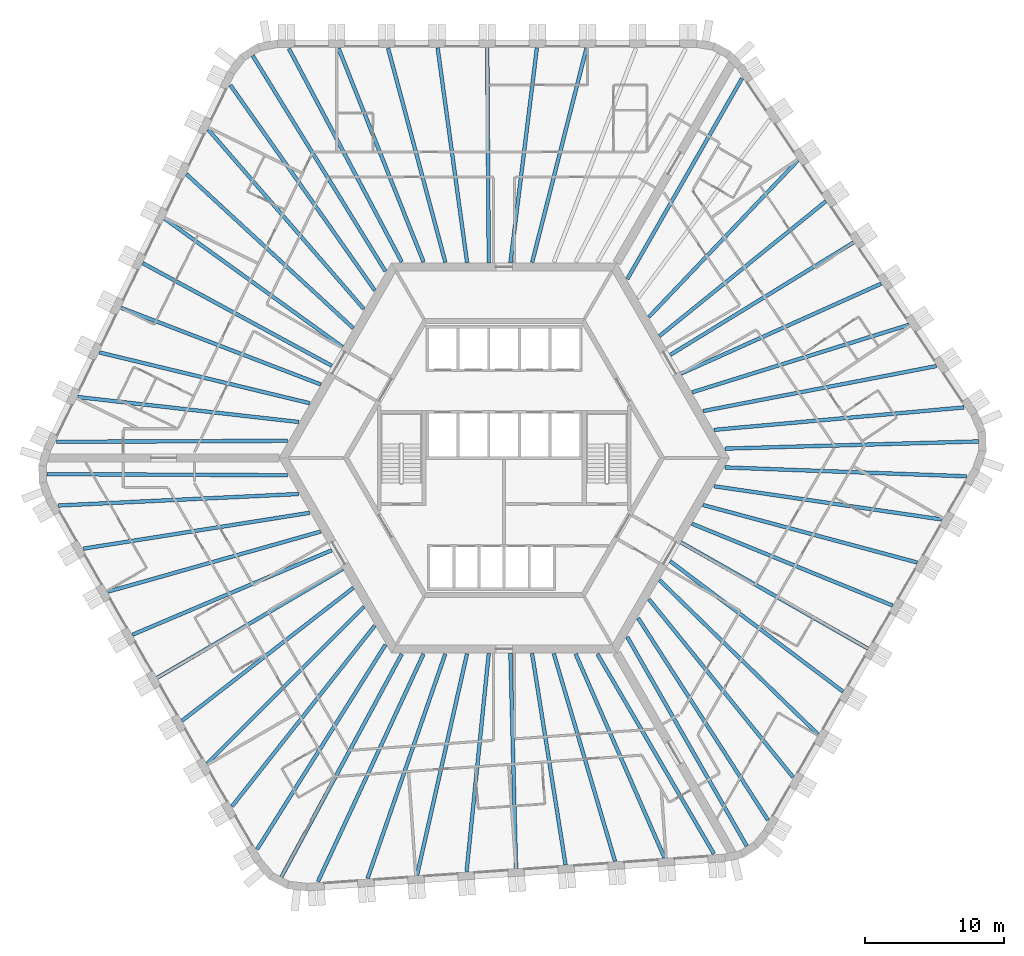
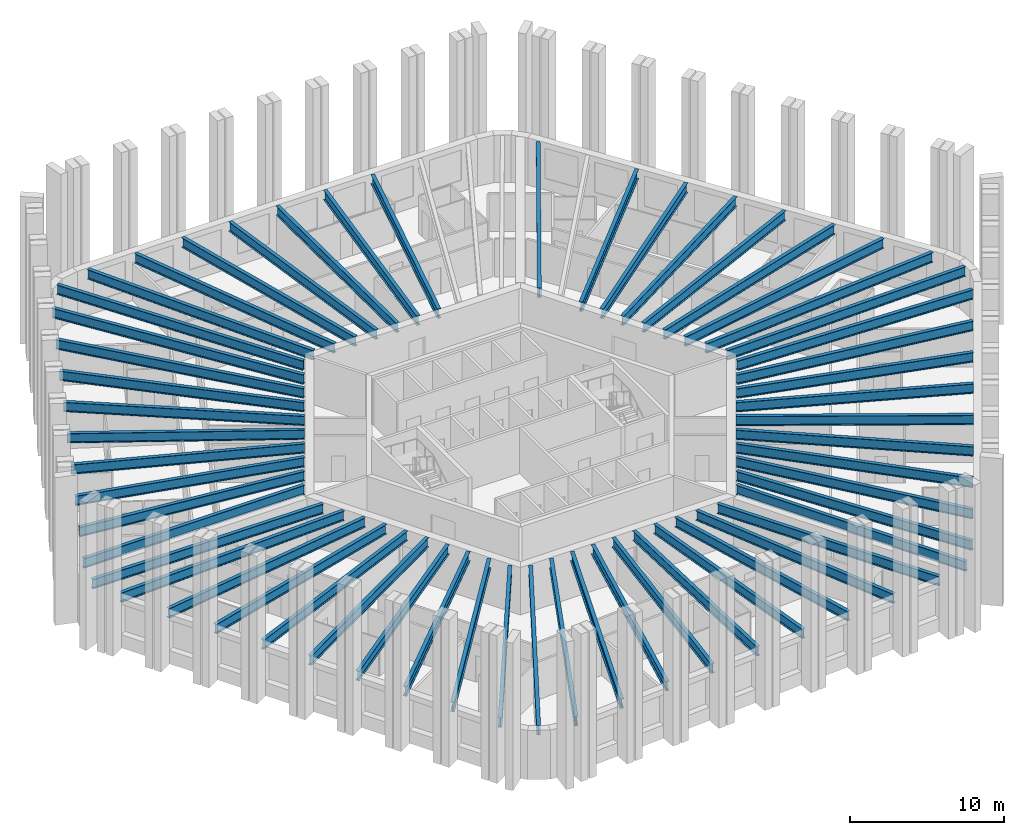
# One storey, part 1 of 13: 56 beams.
"""IFC4 building model written with IfcOpenShell, lengths in metres."""

from ifc_helpers import new_model, si_unit, direction, frame, origin, origin_2d, place, context, subcontext, project, spatial, i_section, extrude, material, material_profile, profile_set, type_object, element, save


model = new_model("IFC4")

# Units and contexts
model_context = context("Model", 3, precision=1e-05, world=origin(), true_north=direction((0.0, 1.0)))
body_context = subcontext(model_context, "Body", "Model", "MODEL_VIEW")
ifc_project = project(units=[si_unit("LENGTHUNIT", "METRE"), si_unit("AREAUNIT", "SQUARE_METRE"), si_unit("VOLUMEUNIT", "CUBIC_METRE"), si_unit("PLANEANGLEUNIT", "RADIAN"), si_unit("MASSUNIT", "GRAM", prefix="KILO")], contexts=[model_context])

# Site, building, storey
site_placement = place(None, origin())
site = spatial("IfcSite", under=ifc_project, at=site_placement, CompositionType="ELEMENT")
building_placement = place(site_placement, origin())
building = spatial("IfcBuilding", under=site, at=building_placement, Name="Tarnside Tower", CompositionType="ELEMENT")
storey_placement = place(building_placement, frame((0.0, 0.0, 68.699951171875)))
storey = spatial("IfcBuildingStorey", under=building, at=storey_placement, Name="L14", CompositionType="ELEMENT", Elevation=68.699951171875)

# Beams
ifc_material = material(Name="Steel S355", Category="steel")
ifc_material_profile_1 = material_profile(ifc_material, i_section(OverallWidth=0.26513671875, OverallDepth=0.75390625, WebThickness=0.0126953125, FlangeThickness=0.017578125, FilletRadius=0.0166015625, at=origin_2d()), Name="UB 762x267x147")
ifc_profile_set_1 = profile_set([ifc_material_profile_1], Name="Steel S355")
beam_type_1 = type_object("IfcBeamType", Name="Floor beam UB 762x267x147", PredefinedType="BEAM", material=ifc_profile_set_1)
beam_1_placement = place(storey_placement, frame((2.3525390625, 29.43017578125, 3.373046875), z_axis=(-0.122329629165, -0.992489527314, 0.0), x_axis=(0.992489527314, -0.122329629165, 0.0)))
element("IfcBeam", 1, at=beam_1_placement, inside=storey, type_object=beam_type_1, Name="Floor beam F1.04", PredefinedType="BEAM", context=body_context, shape_type="SweptSolid", body=[
    extrude(i_section(OverallWidth=0.26513671875, OverallDepth=0.75390625, WebThickness=0.0126953125, FlangeThickness=0.017578125, FilletRadius=0.0166015625, at=origin_2d()), origin(), (0.0, 0.0, 1.0), 15.527099609375),
])
beam_2_placement = place(storey_placement, frame((-1.208984375, 29.449951171875, 3.373046875), z_axis=(0.007000128723, -0.999975498799, 0.0), x_axis=(0.999975498799, 0.007000128723, 0.0)))
element("IfcBeam", 2, at=beam_2_placement, inside=storey, type_object=beam_type_1, Name="Floor beam F1.05", PredefinedType="BEAM", context=body_context, shape_type="SweptSolid", body=[
    extrude(i_section(OverallWidth=0.26513671875, OverallDepth=0.75390625, WebThickness=0.0126953125, FlangeThickness=0.017578125, FilletRadius=0.0166015625, at=origin_2d()), origin(), (0.0, 0.0, 1.0), 15.450439453125),
])
beam_3_placement = place(storey_placement, frame((-4.7705078125, 29.43017578125, 3.373046875), z_axis=(0.136000560933, -0.990708760144, 0.0), x_axis=(0.990708760144, 0.136000560933, 0.0)))
element("IfcBeam", 3, at=beam_3_placement, inside=storey, type_object=beam_type_1, Name="Floor beam F1.06", PredefinedType="BEAM", context=body_context, shape_type="SweptSolid", body=[
    extrude(i_section(OverallWidth=0.26513671875, OverallDepth=0.75390625, WebThickness=0.0126953125, FlangeThickness=0.017578125, FilletRadius=0.0166015625, at=origin_2d()), origin(), (0.0, 0.0, 1.0), 15.554931640625),
])
beam_4_placement = place(storey_placement, frame((-24.348876953125, 17.168212890625, 3.373046875), z_axis=(0.811027744825, -0.585007689799, 0.0), x_axis=(0.585007689799, 0.811027744825, 0.0)))
element("IfcBeam", 4, at=beam_4_placement, inside=storey, type_object=beam_type_1, Name="Floor beam F2.04", PredefinedType="BEAM", context=body_context, shape_type="SweptSolid", body=[
    extrude(i_section(OverallWidth=0.26513671875, OverallDepth=0.75390625, WebThickness=0.0126953125, FlangeThickness=0.017578125, FilletRadius=0.0166015625, at=origin_2d()), origin(), (0.0, 0.0, 1.0), 15.731689453125),
])
beam_5_placement = place(storey_placement, frame((-25.92626953125, 13.978271484375, 3.373046875), z_axis=(0.878894567679, -0.477016078245, 0.0), x_axis=(0.477016078245, 0.878894567679, 0.0)))
element("IfcBeam", 5, at=beam_5_placement, inside=storey, type_object=beam_type_1, Name="Floor beam F2.05", PredefinedType="BEAM", context=body_context, shape_type="SweptSolid", body=[
    extrude(i_section(OverallWidth=0.26513671875, OverallDepth=0.75390625, WebThickness=0.0126953125, FlangeThickness=0.017578125, FilletRadius=0.0166015625, at=origin_2d()), origin(), (0.0, 0.0, 1.0), 15.427490234375),
])
beam_6_placement = place(storey_placement, frame((-27.487548828125, 10.77734375, 3.373046875), z_axis=(0.933617702452, -0.358270827264, 0.0), x_axis=(0.358270827264, 0.933617702452, 0.0)))
element("IfcBeam", 6, at=beam_6_placement, inside=storey, type_object=beam_type_1, Name="Floor beam F2.06", PredefinedType="BEAM", context=body_context, shape_type="SweptSolid", body=[
    extrude(i_section(OverallWidth=0.26513671875, OverallDepth=0.75390625, WebThickness=0.0126953125, FlangeThickness=0.017578125, FilletRadius=0.0166015625, at=origin_2d()), origin(), (0.0, 0.0, 1.0), 15.363037109375),
])
beam_7_placement = place(storey_placement, frame((-29.029296875, 7.572509765625, 3.373046875), z_axis=(0.972101750991, -0.234559556873, 0.0), x_axis=(0.234559556873, 0.972101750991, 0.0)))
element("IfcBeam", 7, at=beam_7_placement, inside=storey, type_object=beam_type_1, Name="Floor beam F2.07", PredefinedType="BEAM", context=body_context, shape_type="SweptSolid", body=[
    extrude(i_section(OverallWidth=0.26513671875, OverallDepth=0.75390625, WebThickness=0.0126953125, FlangeThickness=0.017578125, FilletRadius=0.0166015625, at=origin_2d()), origin(), (0.0, 0.0, 1.0), 15.522216796875),
])
beam_8_placement = place(storey_placement, frame((-26.66357421875, -12.677734375, 3.373046875), z_axis=(0.920684021494, 0.390308765679, 0.0), x_axis=(-0.390308765679, 0.920684021494, 0.0)))
element("IfcBeam", 8, at=beam_8_placement, inside=storey, type_object=beam_type_1, Name="Floor beam F3.04", PredefinedType="BEAM", context=body_context, shape_type="SweptSolid", body=[
    extrude(i_section(OverallWidth=0.26513671875, OverallDepth=0.75390625, WebThickness=0.0126953125, FlangeThickness=0.017578125, FilletRadius=0.0166015625, at=origin_2d()), origin(), (0.0, 0.0, 1.0), 15.52685546875),
])
beam_9_placement = place(storey_placement, frame((-24.89990234375, -15.772216796875, 3.373046875), z_axis=(0.862497502004, 0.506061319443, 0.0), x_axis=(-0.506061319443, 0.862497502004, 0.0)))
element("IfcBeam", 9, at=beam_9_placement, inside=storey, type_object=beam_type_1, Name="Floor beam F3.05", PredefinedType="BEAM", context=body_context, shape_type="SweptSolid", body=[
    extrude(i_section(OverallWidth=0.26513671875, OverallDepth=0.75390625, WebThickness=0.0126953125, FlangeThickness=0.017578125, FilletRadius=0.0166015625, at=origin_2d()), origin(), (0.0, 0.0, 1.0), 15.450439453125),
])
beam_10_placement = place(storey_placement, frame((-23.10205078125, -18.846435546875, 3.373046875), z_axis=(0.789983963813, 0.613127504617, 0.0), x_axis=(-0.613127504617, 0.789983963813, 0.0)))
element("IfcBeam", 10, at=beam_10_placement, inside=storey, type_object=beam_type_1, Name="Floor beam F3.06", PredefinedType="BEAM", context=body_context, shape_type="SweptSolid", body=[
    extrude(i_section(OverallWidth=0.26513671875, OverallDepth=0.75390625, WebThickness=0.0126953125, FlangeThickness=0.017578125, FilletRadius=0.0166015625, at=origin_2d()), origin(), (0.0, 0.0, 1.0), 15.554931640625),
])
beam_11_placement = place(storey_placement, frame((-2.693603515625, -29.6708984375, 3.373046875), z_axis=(0.101123115756, 0.994873919379, 0.0), x_axis=(-0.994873919379, 0.101123115756, 0.0)))
element("IfcBeam", 11, at=beam_11_placement, inside=storey, type_object=beam_type_1, Name="Floor beam F4.04", PredefinedType="BEAM", context=body_context, shape_type="SweptSolid", body=[
    extrude(i_section(OverallWidth=0.26513671875, OverallDepth=0.75390625, WebThickness=0.0126953125, FlangeThickness=0.017578125, FilletRadius=0.0166015625, at=origin_2d()), origin(), (0.0, 0.0, 1.0), 15.7314453125),
])
beam_12_placement = place(storey_placement, frame((0.857666015625, -29.44189453125, 3.373046875), z_axis=(-0.026333316788, 0.999653218085, 0.0), x_axis=(-0.999653218085, -0.026333316788, 0.0)))
element("IfcBeam", 12, at=beam_12_placement, inside=storey, type_object=beam_type_1, Name="Floor beam F4.05", PredefinedType="BEAM", context=body_context, shape_type="SweptSolid", body=[
    extrude(i_section(OverallWidth=0.26513671875, OverallDepth=0.75390625, WebThickness=0.0126953125, FlangeThickness=0.017578125, FilletRadius=0.0166015625, at=origin_2d()), origin(), (0.0, 0.0, 1.0), 15.42724609375),
])
beam_13_placement = place(storey_placement, frame((4.41015625, -29.193603515625, 3.373046875), z_axis=(-0.156513375907, 0.98767583911, 0.0), x_axis=(-0.98767583911, -0.156513375907, 0.0)))
element("IfcBeam", 13, at=beam_13_placement, inside=storey, type_object=beam_type_1, Name="Floor beam F4.06", PredefinedType="BEAM", context=body_context, shape_type="SweptSolid", body=[
    extrude(i_section(OverallWidth=0.26513671875, OverallDepth=0.75390625, WebThickness=0.0126953125, FlangeThickness=0.017578125, FilletRadius=0.0166015625, at=origin_2d()), origin(), (0.0, 0.0, 1.0), 15.36328125),
])
beam_14_placement = place(storey_placement, frame((7.956787109375, -28.926513671875, 3.373046875), z_axis=(-0.282920694328, 0.959143305623, 0.0), x_axis=(-0.959143305623, -0.282920694328, 0.0)))
element("IfcBeam", 14, at=beam_14_placement, inside=storey, type_object=beam_type_1, Name="Floor beam F4.07", PredefinedType="BEAM", context=body_context, shape_type="SweptSolid", body=[
    extrude(i_section(OverallWidth=0.26513671875, OverallDepth=0.75390625, WebThickness=0.0126953125, FlangeThickness=0.017578125, FilletRadius=0.0166015625, at=origin_2d()), origin(), (0.0, 0.0, 1.0), 15.5224609375),
])
beam_15_placement = place(storey_placement, frame((24.31103515625, -16.75244140625, 3.373046875), z_axis=(-0.798361152727, 0.602178935049, 0.0), x_axis=(-0.602178935049, -0.798361152727, 0.0)))
element("IfcBeam", 15, at=beam_15_placement, inside=storey, type_object=beam_type_1, Name="Floor beam F5.04", PredefinedType="BEAM", context=body_context, shape_type="SweptSolid", body=[
    extrude(i_section(OverallWidth=0.26513671875, OverallDepth=0.75390625, WebThickness=0.0126953125, FlangeThickness=0.017578125, FilletRadius=0.0166015625, at=origin_2d()), origin(), (0.0, 0.0, 1.0), 15.527099609375),
])
beam_16_placement = place(storey_placement, frame((26.10888671875, -13.677978515625, 3.373046875), z_axis=(-0.869502520992, 0.493928502911, 0.0), x_axis=(-0.493928502911, -0.869502520992, 0.0)))
element("IfcBeam", 16, at=beam_16_placement, inside=storey, type_object=beam_type_1, Name="Floor beam F5.05", PredefinedType="BEAM", context=body_context, shape_type="SweptSolid", body=[
    extrude(i_section(OverallWidth=0.26513671875, OverallDepth=0.75390625, WebThickness=0.0126953125, FlangeThickness=0.017578125, FilletRadius=0.0166015625, at=origin_2d()), origin(), (0.0, 0.0, 1.0), 15.4501953125),
])
beam_17_placement = place(storey_placement, frame((27.87255859375, -10.58349609375, 3.373046875), z_axis=(-0.925981621163, 0.377568586177, 0.0), x_axis=(-0.377568586177, -0.925981621163, 0.0)))
element("IfcBeam", 17, at=beam_17_placement, inside=storey, type_object=beam_type_1, Name="Floor beam F5.06", PredefinedType="BEAM", context=body_context, shape_type="SweptSolid", body=[
    extrude(i_section(OverallWidth=0.26513671875, OverallDepth=0.75390625, WebThickness=0.0126953125, FlangeThickness=0.017578125, FilletRadius=0.0166015625, at=origin_2d()), origin(), (0.0, 0.0, 1.0), 15.554931640625),
])
beam_18_placement = place(storey_placement, frame((27.04248046875, 12.502685546875, 3.373046875), z_axis=(-0.912146413919, -0.409864513681, 0.0), x_axis=(0.409864513681, -0.912146413919, 0.0)))
element("IfcBeam", 18, at=beam_18_placement, inside=storey, type_object=beam_type_1, Name="Floor beam F6.04", PredefinedType="BEAM", context=body_context, shape_type="SweptSolid", body=[
    extrude(i_section(OverallWidth=0.26513671875, OverallDepth=0.75390625, WebThickness=0.0126953125, FlangeThickness=0.017578125, FilletRadius=0.0166015625, at=origin_2d()), origin(), (0.0, 0.0, 1.0), 15.7314453125),
])
beam_19_placement = place(storey_placement, frame((25.068603515625, 15.463623046875, 3.373046875), z_axis=(-0.852558490017, -0.522631821744, 0.0), x_axis=(0.522631821744, -0.852558490017, 0.0)))
element("IfcBeam", 19, at=beam_19_placement, inside=storey, type_object=beam_type_1, Name="Floor beam F6.05", PredefinedType="BEAM", context=body_context, shape_type="SweptSolid", body=[
    extrude(i_section(OverallWidth=0.26513671875, OverallDepth=0.75390625, WebThickness=0.0126953125, FlangeThickness=0.017578125, FilletRadius=0.0166015625, at=origin_2d()), origin(), (0.0, 0.0, 1.0), 15.42724609375),
])
beam_20_placement = place(storey_placement, frame((23.0771484375, 18.416259765625, 3.373046875), z_axis=(-0.777079423039, -0.629402550272, 0.0), x_axis=(0.629402550272, -0.777079423039, 0.0)))
element("IfcBeam", 20, at=beam_20_placement, inside=storey, type_object=beam_type_1, Name="Floor beam F6.06", PredefinedType="BEAM", context=body_context, shape_type="SweptSolid", body=[
    extrude(i_section(OverallWidth=0.26513671875, OverallDepth=0.75390625, WebThickness=0.0126953125, FlangeThickness=0.017578125, FilletRadius=0.0166015625, at=origin_2d()), origin(), (0.0, 0.0, 1.0), 15.36328125),
])
beam_21_placement = place(storey_placement, frame((21.072509765625, 21.35400390625, 3.373046875), z_axis=(-0.689174694318, -0.724595225427, 0.0), x_axis=(0.724595225427, -0.689174694318, 0.0)))
element("IfcBeam", 21, at=beam_21_placement, inside=storey, type_object=beam_type_1, Name="Floor beam F6.07", PredefinedType="BEAM", context=body_context, shape_type="SweptSolid", body=[
    extrude(i_section(OverallWidth=0.26513671875, OverallDepth=0.75390625, WebThickness=0.0126953125, FlangeThickness=0.017578125, FilletRadius=0.0166015625, at=origin_2d()), origin(), (0.0, 0.0, 1.0), 15.522216796875),
])
ifc_material_profile_2 = material_profile(ifc_material, i_section(OverallWidth=0.2666015625, OverallDepth=0.76220703125, WebThickness=0.014404296875, FlangeThickness=0.021484375, FilletRadius=0.0166015625, at=origin_2d()), Name="UB 762x267x173")
ifc_profile_set_2 = profile_set([ifc_material_profile_2], Name="Steel S355")
beam_type_2 = type_object("IfcBeamType", Name="Floor beam UB 762x267x173", PredefinedType="BEAM", material=ifc_profile_set_2)
beam_22_placement = place(storey_placement, frame((5.909423828125, 29.4111328125, 3.368896484375), z_axis=(-0.245747281389, -0.969333933013, 0.0), x_axis=(0.969333933013, -0.245747281389, 0.0)))
element("IfcBeam", 22, at=beam_22_placement, inside=storey, type_object=beam_type_2, Name="Floor beam F1.03", PredefinedType="BEAM", context=body_context, shape_type="SweptSolid", body=[
    extrude(i_section(OverallWidth=0.2666015625, OverallDepth=0.76220703125, WebThickness=0.014404296875, FlangeThickness=0.021484375, FilletRadius=0.0166015625, at=origin_2d()), origin(), (0.0, 0.0, 1.0), 15.858642578125),
])
beam_23_placement = place(storey_placement, frame((-8.3271484375, 29.411376953125, 3.368896484375), z_axis=(0.258447478572, -0.966025310652, 0.0), x_axis=(0.966025310652, 0.258447478572, 0.0)))
element("IfcBeam", 23, at=beam_23_placement, inside=storey, type_object=beam_type_2, Name="Floor beam F1.07", PredefinedType="BEAM", context=body_context, shape_type="SweptSolid", body=[
    extrude(i_section(OverallWidth=0.2666015625, OverallDepth=0.76220703125, WebThickness=0.014404296875, FlangeThickness=0.021484375, FilletRadius=0.0166015625, at=origin_2d()), origin(), (0.0, 0.0, 1.0), 15.91357421875),
])
beam_24_placement = place(storey_placement, frame((-11.87939453125, 29.394287109375, 3.368896484375), z_axis=(0.369638204477, -0.929175762593, 0.0), x_axis=(0.929175762593, 0.369638204477, 0.0)))
element("IfcBeam", 24, at=beam_24_placement, inside=storey, type_object=beam_type_2, Name="Floor beam F1.08", PredefinedType="BEAM", context=body_context, shape_type="SweptSolid", body=[
    extrude(i_section(OverallWidth=0.2666015625, OverallDepth=0.76220703125, WebThickness=0.014404296875, FlangeThickness=0.021484375, FilletRadius=0.0166015625, at=origin_2d()), origin(), (0.0, 0.0, 1.0), 16.507568359375),
])
beam_25_placement = place(storey_placement, frame((-15.44580078125, 29.37939453125, 3.368896484375), z_axis=(0.467741993634, -0.883865050441, 0.0), x_axis=(0.883865050441, 0.467741993634, 0.0)))
element("IfcBeam", 25, at=beam_25_placement, inside=storey, type_object=beam_type_2, Name="Floor beam F1.09", PredefinedType="BEAM", context=body_context, shape_type="SweptSolid", body=[
    extrude(i_section(OverallWidth=0.2666015625, OverallDepth=0.76220703125, WebThickness=0.014404296875, FlangeThickness=0.021484375, FilletRadius=0.0166015625, at=origin_2d()), origin(), (0.0, 0.0, 1.0), 17.320068359375),
])
beam_26_placement = place(storey_placement, frame((-18.042236328125, 28.8701171875, 3.368896484375), z_axis=(0.524382977035, -0.851482526771, 0.0), x_axis=(0.851482526771, 0.524382977035, 0.0)))
element("IfcBeam", 26, at=beam_26_placement, inside=storey, type_object=beam_type_2, Name="Floor beam C1", PredefinedType="BEAM", context=body_context, shape_type="SweptSolid", body=[
    extrude(i_section(OverallWidth=0.2666015625, OverallDepth=0.76220703125, WebThickness=0.014404296875, FlangeThickness=0.021484375, FilletRadius=0.0166015625, at=origin_2d()), origin(), (0.0, 0.0, 1.0), 18.1728515625),
])
beam_27_placement = place(storey_placement, frame((-19.638671875, 26.75537109375, 3.368896484375), z_axis=(0.575411427849, -0.817864101609, 0.0), x_axis=(0.817864101609, 0.575411427849, 0.0)))
element("IfcBeam", 27, at=beam_27_placement, inside=storey, type_object=beam_type_2, Name="Floor beam F2.01", PredefinedType="BEAM", context=body_context, shape_type="SweptSolid", body=[
    extrude(i_section(OverallWidth=0.2666015625, OverallDepth=0.76220703125, WebThickness=0.014404296875, FlangeThickness=0.021484375, FilletRadius=0.0166015625, at=origin_2d()), origin(), (0.0, 0.0, 1.0), 18.00048828125),
])
beam_28_placement = place(storey_placement, frame((-21.21630859375, 23.554931640625, 3.368896484375), z_axis=(0.654980748073, -0.755645564834, 0.0), x_axis=(0.755645564834, 0.654980748073, 0.0)))
element("IfcBeam", 28, at=beam_28_placement, inside=storey, type_object=beam_type_2, Name="Floor beam F2.02", PredefinedType="BEAM", context=body_context, shape_type="SweptSolid", body=[
    extrude(i_section(OverallWidth=0.2666015625, OverallDepth=0.76220703125, WebThickness=0.014404296875, FlangeThickness=0.021484375, FilletRadius=0.0166015625, at=origin_2d()), origin(), (0.0, 0.0, 1.0), 17.0302734375),
])
beam_29_placement = place(storey_placement, frame((-22.7890625, 20.368408203125, 3.368896484375), z_axis=(0.734715474517, -0.678375391288, 0.0), x_axis=(0.678375391288, 0.734715474517, 0.0)))
element("IfcBeam", 29, at=beam_29_placement, inside=storey, type_object=beam_type_2, Name="Floor beam F2.03", PredefinedType="BEAM", context=body_context, shape_type="SweptSolid", body=[
    extrude(i_section(OverallWidth=0.2666015625, OverallDepth=0.76220703125, WebThickness=0.014404296875, FlangeThickness=0.021484375, FilletRadius=0.0166015625, at=origin_2d()), origin(), (0.0, 0.0, 1.0), 16.2802734375),
])
beam_30_placement = place(storey_placement, frame((-30.570556640625, 4.372802734375, 3.368896484375), z_axis=(0.993687302776, -0.112185312326, 0.0), x_axis=(0.112185312326, 0.993687302776, 0.0)))
element("IfcBeam", 30, at=beam_30_placement, inside=storey, type_object=beam_type_2, Name="Floor beam F2.08", PredefinedType="BEAM", context=body_context, shape_type="SweptSolid", body=[
    extrude(i_section(OverallWidth=0.2666015625, OverallDepth=0.76220703125, WebThickness=0.014404296875, FlangeThickness=0.021484375, FilletRadius=0.0166015625, at=origin_2d()), origin(), (0.0, 0.0, 1.0), 15.934326171875),
])
beam_31_placement = place(storey_placement, frame((-32.119384765625, 1.162109375, 3.368896484375), z_axis=(0.999990508787, 0.004356872304, 0.0), x_axis=(-0.004356872304, 0.999990508787, 0.0)))
element("IfcBeam", 31, at=beam_31_placement, inside=storey, type_object=beam_type_2, Name="Floor beam F2.09", PredefinedType="BEAM", context=body_context, shape_type="SweptSolid", body=[
    extrude(i_section(OverallWidth=0.2666015625, OverallDepth=0.76220703125, WebThickness=0.014404296875, FlangeThickness=0.021484375, FilletRadius=0.0166015625, at=origin_2d()), origin(), (0.0, 0.0, 1.0), 16.586669921875),
])
beam_32_placement = place(storey_placement, frame((-32.80712890625, -1.1572265625, 3.368896484375), z_axis=(0.999990027056, -0.004466070929, 0.0), x_axis=(0.004466070929, 0.999990027056, 0.0)))
element("IfcBeam", 32, at=beam_32_placement, inside=storey, type_object=beam_type_2, Name="Floor beam C2", PredefinedType="BEAM", context=body_context, shape_type="SweptSolid", body=[
    extrude(i_section(OverallWidth=0.2666015625, OverallDepth=0.76220703125, WebThickness=0.014404296875, FlangeThickness=0.021484375, FilletRadius=0.0166015625, at=origin_2d()), origin(), (0.0, 0.0, 1.0), 17.2744140625),
])
beam_33_placement = place(storey_placement, frame((-31.95703125, -3.406494140625, 3.368896484375), z_axis=(0.998853818522, 0.047864905982, 0.0), x_axis=(-0.047864905982, 0.998853818522, 0.0)))
element("IfcBeam", 33, at=beam_33_placement, inside=storey, type_object=beam_type_2, Name="Floor beam F3.01", PredefinedType="BEAM", context=body_context, shape_type="SweptSolid", body=[
    extrude(i_section(OverallWidth=0.2666015625, OverallDepth=0.76220703125, WebThickness=0.014404296875, FlangeThickness=0.021484375, FilletRadius=0.0166015625, at=origin_2d()), origin(), (0.0, 0.0, 1.0), 17.2197265625),
])
beam_34_placement = place(storey_placement, frame((-30.18701171875, -6.502685546875, 3.368896484375), z_axis=(0.987678477078, 0.156496728136, 0.0), x_axis=(-0.156496728136, 0.987678477078, 0.0)))
element("IfcBeam", 34, at=beam_34_placement, inside=storey, type_object=beam_type_2, Name="Floor beam F3.02", PredefinedType="BEAM", context=body_context, shape_type="SweptSolid", body=[
    extrude(i_section(OverallWidth=0.2666015625, OverallDepth=0.76220703125, WebThickness=0.014404296875, FlangeThickness=0.021484375, FilletRadius=0.0166015625, at=origin_2d()), origin(), (0.0, 0.0, 1.0), 16.4287109375),
])
beam_35_placement = place(storey_placement, frame((-28.425537109375, -9.587890625, 3.368896484375), z_axis=(0.962342240503, 0.271840784547, 0.0), x_axis=(-0.271840784547, 0.962342240503, 0.0)))
element("IfcBeam", 35, at=beam_35_placement, inside=storey, type_object=beam_type_2, Name="Floor beam F3.03", PredefinedType="BEAM", context=body_context, shape_type="SweptSolid", body=[
    extrude(i_section(OverallWidth=0.2666015625, OverallDepth=0.76220703125, WebThickness=0.014404296875, FlangeThickness=0.021484375, FilletRadius=0.0166015625, at=origin_2d()), origin(), (0.0, 0.0, 1.0), 15.858642578125),
])
beam_36_placement = place(storey_placement, frame((-21.307373046875, -21.917236328125, 3.368896484375), z_axis=(0.707367544857, 0.706845921318, 0.0), x_axis=(-0.706845921318, 0.707367544857, 0.0)))
element("IfcBeam", 36, at=beam_36_placement, inside=storey, type_object=beam_type_2, Name="Floor beam F3.07", PredefinedType="BEAM", context=body_context, shape_type="SweptSolid", body=[
    extrude(i_section(OverallWidth=0.2666015625, OverallDepth=0.76220703125, WebThickness=0.014404296875, FlangeThickness=0.021484375, FilletRadius=0.0166015625, at=origin_2d()), origin(), (0.0, 0.0, 1.0), 15.913330078125),
])
beam_37_placement = place(storey_placement, frame((-19.516357421875, -24.985107421875, 3.368896484375), z_axis=(0.619872995007, 0.784702153725, 0.0), x_axis=(-0.784702153725, 0.619872995007, 0.0)))
element("IfcBeam", 37, at=beam_37_placement, inside=storey, type_object=beam_type_2, Name="Floor beam F3.08", PredefinedType="BEAM", context=body_context, shape_type="SweptSolid", body=[
    extrude(i_section(OverallWidth=0.2666015625, OverallDepth=0.76220703125, WebThickness=0.014404296875, FlangeThickness=0.021484375, FilletRadius=0.0166015625, at=origin_2d()), origin(), (0.0, 0.0, 1.0), 16.507568359375),
])
beam_38_placement = place(storey_placement, frame((-17.72021484375, -28.066162109375, 3.368896484375), z_axis=(0.531583085704, 0.847006152866, 0.0), x_axis=(-0.847006152866, 0.531583085704, 0.0)))
element("IfcBeam", 38, at=beam_38_placement, inside=storey, type_object=beam_type_2, Name="Floor beam F3.09", PredefinedType="BEAM", context=body_context, shape_type="SweptSolid", body=[
    extrude(i_section(OverallWidth=0.2666015625, OverallDepth=0.76220703125, WebThickness=0.014404296875, FlangeThickness=0.021484375, FilletRadius=0.0166015625, at=origin_2d()), origin(), (0.0, 0.0, 1.0), 17.320068359375),
])
beam_39_placement = place(storey_placement, frame((-15.981201171875, -30.060302734375, 3.368896484375), z_axis=(0.475208200571, 0.879873380726, 0.0), x_axis=(-0.879873380726, 0.475208200571, 0.0)))
element("IfcBeam", 39, at=beam_39_placement, inside=storey, type_object=beam_type_2, Name="Floor beam C3", PredefinedType="BEAM", context=body_context, shape_type="SweptSolid", body=[
    extrude(i_section(OverallWidth=0.2666015625, OverallDepth=0.76220703125, WebThickness=0.014404296875, FlangeThickness=0.021484375, FilletRadius=0.0166015625, at=origin_2d()), origin(), (0.0, 0.0, 1.0), 18.173095703125),
])
beam_40_placement = place(storey_placement, frame((-13.3515625, -30.38525390625, 3.368896484375), z_axis=(0.42059199668, 0.907249895193, 0.0), x_axis=(-0.907249895193, 0.42059199668, 0.0)))
element("IfcBeam", 40, at=beam_40_placement, inside=storey, type_object=beam_type_2, Name="Floor beam F4.01", PredefinedType="BEAM", context=body_context, shape_type="SweptSolid", body=[
    extrude(i_section(OverallWidth=0.2666015625, OverallDepth=0.76220703125, WebThickness=0.014404296875, FlangeThickness=0.021484375, FilletRadius=0.0166015625, at=origin_2d()), origin(), (0.0, 0.0, 1.0), 18.000244140625),
])
beam_41_placement = place(storey_placement, frame((-9.791015625, -30.151123046875, 3.368896484375), z_axis=(0.326912128872, 0.945054739153, 0.0), x_axis=(-0.945054739153, 0.326912128872, 0.0)))
element("IfcBeam", 41, at=beam_41_placement, inside=storey, type_object=beam_type_2, Name="Floor beam F4.02", PredefinedType="BEAM", context=body_context, shape_type="SweptSolid", body=[
    extrude(i_section(OverallWidth=0.2666015625, OverallDepth=0.76220703125, WebThickness=0.014404296875, FlangeThickness=0.021484375, FilletRadius=0.0166015625, at=origin_2d()), origin(), (0.0, 0.0, 1.0), 17.0302734375),
])
beam_42_placement = place(storey_placement, frame((-6.2451171875, -29.920166015625, 3.368896484375), z_axis=(0.220139818673, 0.975468328668, 0.0), x_axis=(-0.975468328668, 0.220139818673, 0.0)))
element("IfcBeam", 42, at=beam_42_placement, inside=storey, type_object=beam_type_2, Name="Floor beam F4.03", PredefinedType="BEAM", context=body_context, shape_type="SweptSolid", body=[
    extrude(i_section(OverallWidth=0.2666015625, OverallDepth=0.76220703125, WebThickness=0.014404296875, FlangeThickness=0.021484375, FilletRadius=0.0166015625, at=origin_2d()), origin(), (0.0, 0.0, 1.0), 16.280517578125),
])
beam_43_placement = place(storey_placement, frame((11.498291015625, -28.6611328125, 3.368896484375), z_axis=(-0.399695682658, 0.916647893831, 0.0), x_axis=(-0.916647893831, -0.399695682658, 0.0)))
element("IfcBeam", 43, at=beam_43_placement, inside=storey, type_object=beam_type_2, Name="Floor beam F4.08", PredefinedType="BEAM", context=body_context, shape_type="SweptSolid", body=[
    extrude(i_section(OverallWidth=0.2666015625, OverallDepth=0.76220703125, WebThickness=0.014404296875, FlangeThickness=0.021484375, FilletRadius=0.0166015625, at=origin_2d()), origin(), (0.0, 0.0, 1.0), 15.934326171875),
])
beam_44_placement = place(storey_placement, frame((15.05322265625, -28.3974609375, 3.368896484375), z_axis=(-0.503758455062, 0.86384455717, 0.0), x_axis=(-0.86384455717, -0.503758455062, 0.0)))
element("IfcBeam", 44, at=beam_44_placement, inside=storey, type_object=beam_type_2, Name="Floor beam F4.09", PredefinedType="BEAM", context=body_context, shape_type="SweptSolid", body=[
    extrude(i_section(OverallWidth=0.2666015625, OverallDepth=0.76220703125, WebThickness=0.014404296875, FlangeThickness=0.021484375, FilletRadius=0.0166015625, at=origin_2d()), origin(), (0.0, 0.0, 1.0), 16.586669921875),
])
beam_45_placement = place(storey_placement, frame((17.40576171875, -27.833251953125, 3.368896484375), z_axis=(-0.496126762138, 0.868250099851, 0.0), x_axis=(-0.868250099851, -0.496126762138, 0.0)))
element("IfcBeam", 45, at=beam_45_placement, inside=storey, type_object=beam_type_2, Name="Floor beam C4", PredefinedType="BEAM", context=body_context, shape_type="SweptSolid", body=[
    extrude(i_section(OverallWidth=0.2666015625, OverallDepth=0.76220703125, WebThickness=0.014404296875, FlangeThickness=0.021484375, FilletRadius=0.0166015625, at=origin_2d()), origin(), (0.0, 0.0, 1.0), 17.2744140625),
])
beam_46_placement = place(storey_placement, frame((18.9287109375, -25.972412109375, 3.368896484375), z_axis=(-0.540872954463, 0.841104302171, 0.0), x_axis=(-0.841104302171, -0.540872954463, 0.0)))
element("IfcBeam", 46, at=beam_46_placement, inside=storey, type_object=beam_type_2, Name="Floor beam F5.01", PredefinedType="BEAM", context=body_context, shape_type="SweptSolid", body=[
    extrude(i_section(OverallWidth=0.2666015625, OverallDepth=0.76220703125, WebThickness=0.014404296875, FlangeThickness=0.021484375, FilletRadius=0.0166015625, at=origin_2d()), origin(), (0.0, 0.0, 1.0), 17.2197265625),
])
beam_47_placement = place(storey_placement, frame((20.72509765625, -22.89111328125, 3.368896484375), z_axis=(-0.62939015525, 0.777089462336, 0.0), x_axis=(-0.777089462336, -0.62939015525, 0.0)))
element("IfcBeam", 47, at=beam_47_placement, inside=storey, type_object=beam_type_2, Name="Floor beam F5.02", PredefinedType="BEAM", context=body_context, shape_type="SweptSolid", body=[
    extrude(i_section(OverallWidth=0.2666015625, OverallDepth=0.76220703125, WebThickness=0.014404296875, FlangeThickness=0.021484375, FilletRadius=0.0166015625, at=origin_2d()), origin(), (0.0, 0.0, 1.0), 16.4287109375),
])
beam_48_placement = place(storey_placement, frame((22.51611328125, -19.8232421875, 3.368896484375), z_axis=(-0.716594696052, 0.697489814686, 0.0), x_axis=(-0.697489814686, -0.716594696052, 0.0)))
element("IfcBeam", 48, at=beam_48_placement, inside=storey, type_object=beam_type_2, Name="Floor beam F5.03", PredefinedType="BEAM", context=body_context, shape_type="SweptSolid", body=[
    extrude(i_section(OverallWidth=0.2666015625, OverallDepth=0.76220703125, WebThickness=0.014404296875, FlangeThickness=0.021484375, FilletRadius=0.0166015625, at=origin_2d()), origin(), (0.0, 0.0, 1.0), 15.858642578125),
])
beam_49_placement = place(storey_placement, frame((29.634521484375, -7.494140625, 3.368896484375), z_axis=(-0.965827851395, 0.259184415946, 0.0), x_axis=(-0.259184415946, -0.965827851395, 0.0)))
element("IfcBeam", 49, at=beam_49_placement, inside=storey, type_object=beam_type_2, Name="Floor beam F5.07", PredefinedType="BEAM", context=body_context, shape_type="SweptSolid", body=[
    extrude(i_section(OverallWidth=0.2666015625, OverallDepth=0.76220703125, WebThickness=0.014404296875, FlangeThickness=0.021484375, FilletRadius=0.0166015625, at=origin_2d()), origin(), (0.0, 0.0, 1.0), 15.913330078125),
])
beam_50_placement = place(storey_placement, frame((31.39599609375, -4.4091796875, 3.368896484375), z_axis=(-0.989507887412, 0.144478859177, 0.0), x_axis=(-0.144478859177, -0.989507887412, 0.0)))
element("IfcBeam", 50, at=beam_50_placement, inside=storey, type_object=beam_type_2, Name="Floor beam F5.08", PredefinedType="BEAM", context=body_context, shape_type="SweptSolid", body=[
    extrude(i_section(OverallWidth=0.2666015625, OverallDepth=0.76220703125, WebThickness=0.014404296875, FlangeThickness=0.021484375, FilletRadius=0.0166015625, at=origin_2d()), origin(), (0.0, 0.0, 1.0), 16.507568359375),
])
beam_51_placement = place(storey_placement, frame((33.166259765625, -1.31298828125, 3.368896484375), z_axis=(-0.999320941149, 0.036846391708, 0.0), x_axis=(-0.036846391708, -0.999320941149, 0.0)))
element("IfcBeam", 51, at=beam_51_placement, inside=storey, type_object=beam_type_2, Name="Floor beam F5.09", PredefinedType="BEAM", context=body_context, shape_type="SweptSolid", body=[
    extrude(i_section(OverallWidth=0.2666015625, OverallDepth=0.76220703125, WebThickness=0.014404296875, FlangeThickness=0.021484375, FilletRadius=0.0166015625, at=origin_2d()), origin(), (0.0, 0.0, 1.0), 17.320068359375),
])
beam_52_placement = place(storey_placement, frame((34.0234375, 1.18994140625, 3.368896484375), z_axis=(-0.999597013499, -0.028386803343, 0.0), x_axis=(0.028386803343, -0.999597013499, 0.0)))
element("IfcBeam", 52, at=beam_52_placement, inside=storey, type_object=beam_type_2, Name="Floor beam C5", PredefinedType="BEAM", context=body_context, shape_type="SweptSolid", body=[
    extrude(i_section(OverallWidth=0.2666015625, OverallDepth=0.76220703125, WebThickness=0.014404296875, FlangeThickness=0.021484375, FilletRadius=0.0166015625, at=origin_2d()), origin(), (0.0, 0.0, 1.0), 18.1728515625),
])
beam_53_placement = place(storey_placement, frame((32.990234375, 3.6298828125, 3.368896484375), z_axis=(-0.995997485142, -0.089381259731, 0.0), x_axis=(0.089381259731, -0.995997485142, 0.0)))
element("IfcBeam", 53, at=beam_53_placement, inside=storey, type_object=beam_type_2, Name="Floor beam F6.01", PredefinedType="BEAM", context=body_context, shape_type="SweptSolid", body=[
    extrude(i_section(OverallWidth=0.2666015625, OverallDepth=0.76220703125, WebThickness=0.014404296875, FlangeThickness=0.021484375, FilletRadius=0.0166015625, at=origin_2d()), origin(), (0.0, 0.0, 1.0), 18.000244140625),
])
beam_54_placement = place(storey_placement, frame((31.007080078125, 6.596435546875, 3.368896484375), z_axis=(-0.981896564922, -0.189417886679, 0.0), x_axis=(0.189417886679, -0.981896564922, 0.0)))
element("IfcBeam", 54, at=beam_54_placement, inside=storey, type_object=beam_type_2, Name="Floor beam F6.02", PredefinedType="BEAM", context=body_context, shape_type="SweptSolid", body=[
    extrude(i_section(OverallWidth=0.2666015625, OverallDepth=0.76220703125, WebThickness=0.014404296875, FlangeThickness=0.021484375, FilletRadius=0.0166015625, at=origin_2d()), origin(), (0.0, 0.0, 1.0), 17.0302734375),
])
beam_55_placement = place(storey_placement, frame((29.0341796875, 9.5517578125, 3.368896484375), z_axis=(-0.954846945108, -0.297098151152, 0.0), x_axis=(0.297098151152, -0.954846945108, 0.0)))
element("IfcBeam", 55, at=beam_55_placement, inside=storey, type_object=beam_type_2, Name="Floor beam F6.03", PredefinedType="BEAM", context=body_context, shape_type="SweptSolid", body=[
    extrude(i_section(OverallWidth=0.2666015625, OverallDepth=0.76220703125, WebThickness=0.014404296875, FlangeThickness=0.021484375, FilletRadius=0.0166015625, at=origin_2d()), origin(), (0.0, 0.0, 1.0), 16.280517578125),
])
beam_56_placement = place(storey_placement, frame((17.066162109375, 27.235107421875, 3.368896484375), z_axis=(-0.49622611841, -0.868193319145, 0.0), x_axis=(0.868193319145, -0.49622611841, 0.0)))
element("IfcBeam", 56, at=beam_56_placement, inside=storey, type_object=beam_type_2, Name="Floor beam F6.09", PredefinedType="BEAM", context=body_context, shape_type="SweptSolid", body=[
    extrude(i_section(OverallWidth=0.2666015625, OverallDepth=0.76220703125, WebThickness=0.014404296875, FlangeThickness=0.021484375, FilletRadius=0.0166015625, at=origin_2d()), origin(), (0.0, 0.0, 1.0), 16.586669921875),
])

save(model, "model.ifc")
